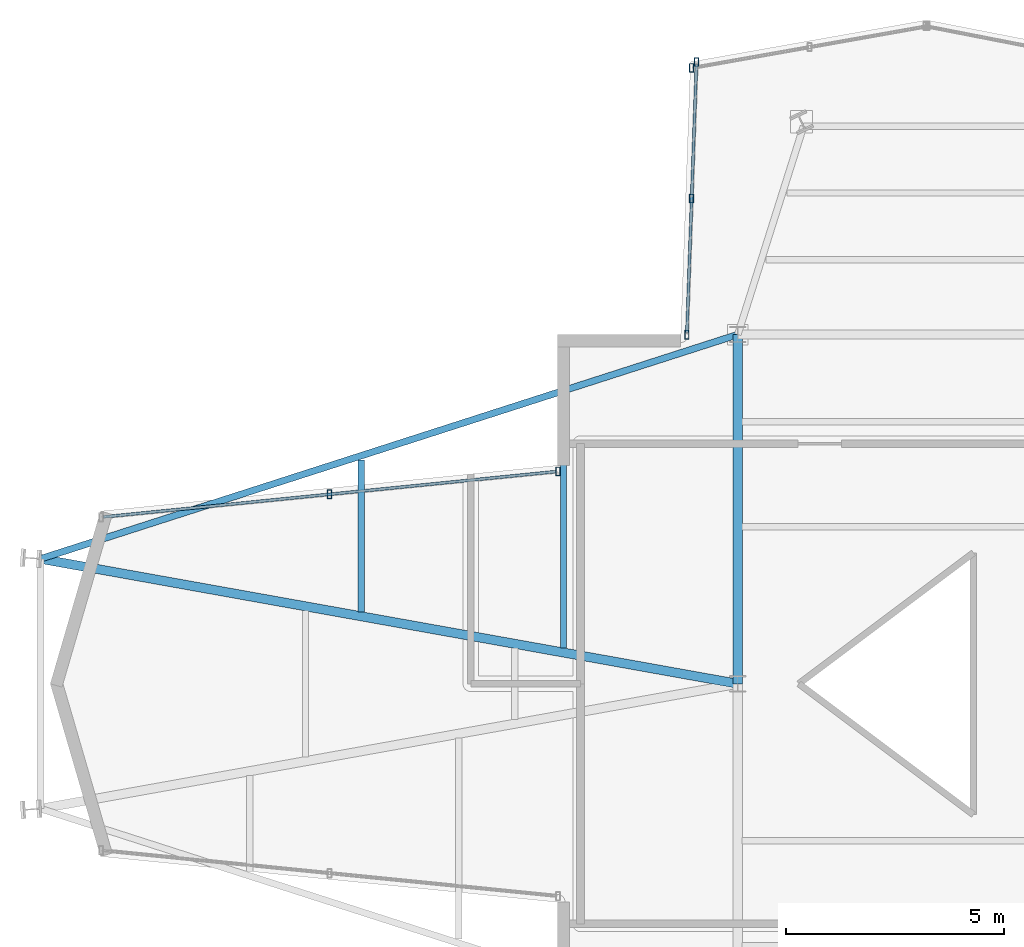
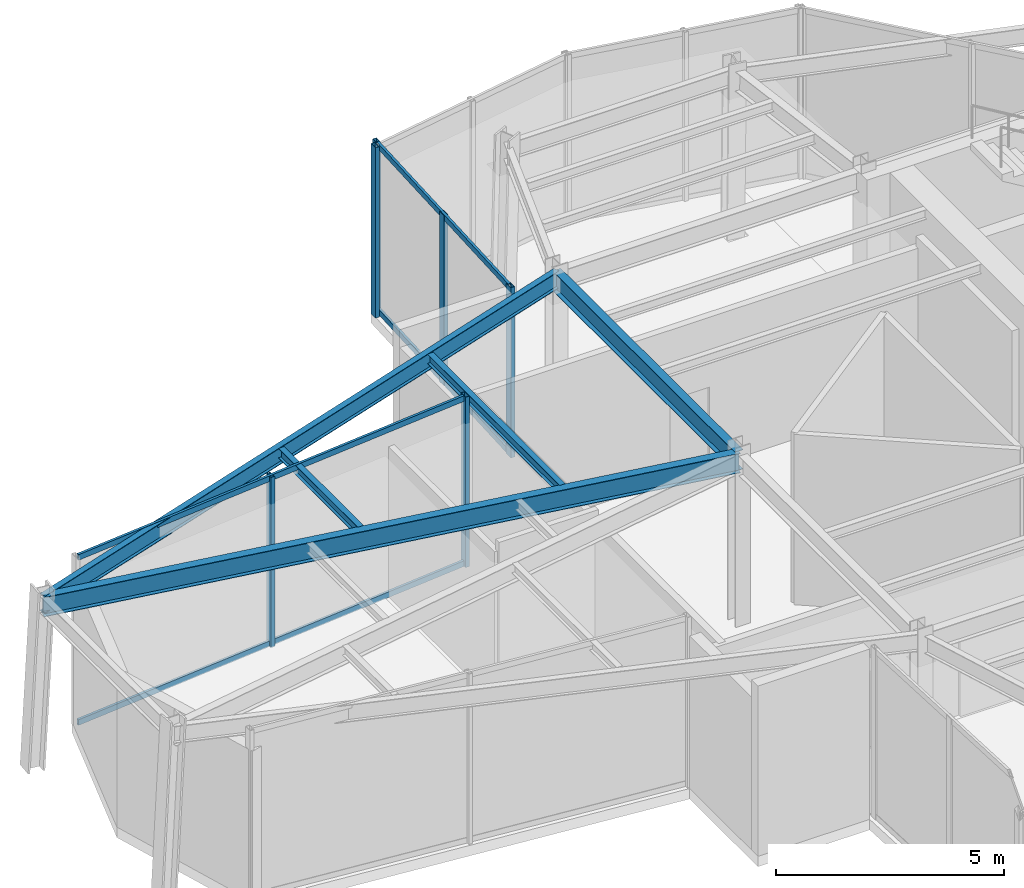
# One storey, part 5 of 15: 10 members, 5 beams, 3 elements without a shape of their own.
"""IFC4 building model written with IfcOpenShell, lengths in metres."""

from ifc_helpers import new_model, si_unit, direction, frame, origin, origin_2d, place, context, subcontext, project, spatial, hollow_rectangle, i_section, extrude, material, layer, layer_set, material_profile, profile_set, type_object, element, aggregate, save


model = new_model("IFC4")

# Units and contexts
model_context = context("Model", 3, precision=1e-05, world=origin(), true_north=direction((0.0, 1.0)))
body_context = subcontext(model_context, "Body", "Model", "MODEL_VIEW")
ifc_project = project(units=[si_unit("LENGTHUNIT", "METRE"), si_unit("AREAUNIT", "SQUARE_METRE"), si_unit("VOLUMEUNIT", "CUBIC_METRE"), si_unit("PLANEANGLEUNIT", "RADIAN"), si_unit("MASSUNIT", "GRAM", prefix="KILO")], contexts=[model_context])

# Site, building, storey
site_placement = place(None, origin())
site = spatial("IfcSite", under=ifc_project, at=site_placement, CompositionType="ELEMENT")
building_placement = place(site_placement, origin())
building = spatial("IfcBuilding", under=site, at=building_placement, Name="Veymaron Broadcast Tower", CompositionType="ELEMENT")
storey_placement = place(building_placement, frame((0.0, 0.0, 262.050048828125)))
storey = spatial("IfcBuildingStorey", under=building, at=storey_placement, Name="L61", CompositionType="ELEMENT", Elevation=262.050048828125)

# Beams
ifc_material_1 = material(Name="Structural steel ASTM A992 Gr 50", Category="steel")
ifc_material_profile_1 = material_profile(ifc_material_1, i_section(OverallWidth=0.208984375, OverallDepth=0.528076171875, WebThickness=0.009521484375, FlangeThickness=0.01318359375, at=origin_2d()), Name="W530X82")
ifc_profile_set_1 = profile_set([ifc_material_profile_1], Name="Structural steel ASTM A992 Gr 50")
beam_type_1 = type_object("IfcBeamType", Name="BM-FG4", PredefinedType="BEAM", material=ifc_profile_set_1)
beam_1_placement = place(storey_placement, frame((31.199951171875, 24.0, 4.2958984375), z_axis=(0.0, 1.0, 0.0), x_axis=(-1.0, 0.0, 0.0)))
element("IfcBeam", 1, at=beam_1_placement, inside=storey, type_object=beam_type_1, Name="L61 primary structural floor girder", PredefinedType="BEAM", context=body_context, shape_type="SweptSolid", body=[
    extrude(i_section(OverallWidth=0.208984375, OverallDepth=0.528076171875, WebThickness=0.009521484375, FlangeThickness=0.01318359375, at=origin_2d()), origin(), (0.0, 0.0, 1.0), 8.0),
])
beam_2_placement = place(storey_placement, frame((15.224365234375, 26.862060546875, 4.2958984375), z_axis=(0.98432849912, -0.176344565609, 0.0), x_axis=(0.176344565609, 0.98432849912, 0.0)))
element("IfcBeam", 2, at=beam_2_placement, inside=storey, type_object=beam_type_1, Name="L61 primary structural floor girder", PredefinedType="BEAM", context=body_context, shape_type="SweptSolid", body=[
    extrude(i_section(OverallWidth=0.208984375, OverallDepth=0.528076171875, WebThickness=0.009521484375, FlangeThickness=0.01318359375, at=origin_2d()), origin(), (0.0, 0.0, 1.0), 16.22998046875),
])
ifc_material_profile_2 = material_profile(ifc_material_1, i_section(OverallWidth=0.14599609375, OverallDepth=0.258056640625, WebThickness=0.006103515625, FlangeThickness=0.009033203125, at=origin_2d()), Name="W250X33")
ifc_profile_set_2 = profile_set([ifc_material_profile_2], Name="Structural steel ASTM A992 Gr 50")
beam_type_2 = type_object("IfcBeamType", Name="BM-JS4", PredefinedType="JOIST", material=ifc_profile_set_2)
beam_3_placement = place(storey_placement, frame((22.5732421875, 25.6455078125, 4.430908203125), z_axis=(0.0, 1.0, 0.0), x_axis=(-1.0, 0.0, 0.0)))
element("IfcBeam", 3, at=beam_3_placement, inside=storey, type_object=beam_type_2, Name="L61 Arm-A secondary joist 1N", PredefinedType="JOIST", context=body_context, shape_type="SweptSolid", body=[
    extrude(i_section(OverallWidth=0.14599609375, OverallDepth=0.258056640625, WebThickness=0.006103515625, FlangeThickness=0.009033203125, at=origin_2d()), origin(), (0.0, 0.0, 1.0), 3.47998046875),
])
beam_4_placement = place(storey_placement, frame((27.2060546875, 24.8154296875, 4.430908203125), z_axis=(0.0, 1.0, 0.0), x_axis=(-1.0, 0.0, 0.0)))
element("IfcBeam", 4, at=beam_4_placement, inside=storey, type_object=beam_type_2, Name="L61 Arm-A secondary joist 2N", PredefinedType="JOIST", context=body_context, shape_type="SweptSolid", body=[
    extrude(i_section(OverallWidth=0.14599609375, OverallDepth=0.258056640625, WebThickness=0.006103515625, FlangeThickness=0.009033203125, at=origin_2d()), origin(), (0.0, 0.0, 1.0), 5.800048828125),
])
ifc_material_profile_3 = material_profile(ifc_material_1, i_section(OverallWidth=0.154052734375, OverallDepth=0.458984375, WebThickness=0.009033203125, FlangeThickness=0.015380859375, at=origin_2d()), Name="W460X68")
ifc_profile_set_3 = profile_set([ifc_material_profile_3], Name="Structural steel ASTM A992 Gr 50")
beam_type_3 = type_object("IfcBeamType", Name="BM-SP2", PredefinedType="SPANDREL", material=ifc_profile_set_3)
beam_5_placement = place(storey_placement, frame((15.224365234375, 26.862060546875, 4.33056640625), z_axis=(0.951977688212, 0.306167407061, 0.0), x_axis=(-0.306167407061, 0.951977688212, 0.0)))
element("IfcBeam", 5, at=beam_5_placement, inside=storey, type_object=beam_type_3, Name="L61 primary structural floor girder", PredefinedType="SPANDREL", context=body_context, shape_type="SweptSolid", body=[
    extrude(i_section(OverallWidth=0.154052734375, OverallDepth=0.458984375, WebThickness=0.009033203125, FlangeThickness=0.015380859375, at=origin_2d()), origin(), (0.0, 0.0, 1.0), 16.781494140625),
])

# Curtain wall, member
ifc_material_2 = material(Name="Anodised aluminium AA 6063-T6 and laminated low-E dark glass", Category="aluminium")
ifc_layer = layer(ifc_material_2, 0.179931640625)
ifc_layer_set = layer_set([ifc_layer], Name="Anodised aluminium AA 6063-T6 and laminated low-E dark glass")
curtain_wall_type = type_object("IfcCurtainWallType", Name="CW-SYS-04", PredefinedType="NOTDEFINED", material=ifc_layer_set)
curtain_wall_1_placement = place(storey_placement, origin())
curtain_wall_1 = element("IfcCurtainWall", 6, at=curtain_wall_1_placement, inside=storey, type_object=curtain_wall_type, Name="L61 dark-glass curtain wall CW-L61-E7-1", PredefinedType="NOTDEFINED")
ifc_material_3 = material(Name="Anodised aluminium AA 6063-T6", Category="aluminium")
ifc_material_profile_4 = material_profile(ifc_material_3, hollow_rectangle(XDim=0.10009765625, YDim=0.199951171875, WallThickness=0.010009765625, at=origin_2d()), Name="RHS200X100X10")
ifc_profile_set_4 = profile_set([ifc_material_profile_4], Name="Anodised aluminium AA 6063-T6")
member_type_1 = type_object("IfcMemberType", Name="CW-MUL-01", PredefinedType="MULLION", material=ifc_profile_set_4)
member_1_placement = place(storey_placement, frame((30.138671875, 38.110107421875, 0.0), z_axis=(0.0, 0.0, 1.0), x_axis=(1.0, 0.0, 0.0)))
member_1 = element("IfcMember", 7, at=member_1_placement, type_object=member_type_1, Name="CW-L61-E7-1 mullion 2", PredefinedType="MULLION", context=body_context, shape_type="SweptSolid", body=[
    extrude(hollow_rectangle(XDim=0.10009765625, YDim=0.199951171875, WallThickness=0.010009765625, at=origin_2d()), origin(), (0.0, 0.0, 1.0), 4.56005859375),
])
aggregate(curtain_wall_1, [member_1])

# Curtain wall, members
curtain_wall_2_placement = place(storey_placement, origin())
curtain_wall_2 = element("IfcCurtainWall", 8, at=curtain_wall_2_placement, inside=storey, type_object=curtain_wall_type, Name="L61 dark-glass curtain wall CW-L61-E8-1", PredefinedType="NOTDEFINED")
member_2_placement = place(storey_placement, frame((30.254150390625, 38.242919921875, 0.0), z_axis=(0.0, 0.0, 1.0), x_axis=(1.0, 0.0, 0.0)))
member_2 = element("IfcMember", 9, at=member_2_placement, type_object=member_type_1, Name="CW-L61-E8-1 mullion 0", PredefinedType="MULLION", context=body_context, shape_type="SweptSolid", body=[
    extrude(hollow_rectangle(XDim=0.10009765625, YDim=0.199951171875, WallThickness=0.010009765625, at=origin_2d()), origin(), (0.0, 0.0, 1.0), 4.56005859375),
])
member_3_placement = place(storey_placement, frame((30.143310546875, 35.118896484375, 0.0), z_axis=(0.0, 0.0, 1.0), x_axis=(1.0, 0.0, 0.0)))
member_3 = element("IfcMember", 10, at=member_3_placement, type_object=member_type_1, Name="CW-L61-E8-1 mullion 1", PredefinedType="MULLION", context=body_context, shape_type="SweptSolid", body=[
    extrude(hollow_rectangle(XDim=0.10009765625, YDim=0.199951171875, WallThickness=0.010009765625, at=origin_2d()), origin(), (0.0, 0.0, 1.0), 4.56005859375),
])
member_4_placement = place(storey_placement, frame((30.0322265625, 31.9951171875, 0.0), z_axis=(0.0, 0.0, 1.0), x_axis=(1.0, 0.0, 0.0)))
member_4 = element("IfcMember", 11, at=member_4_placement, type_object=member_type_1, Name="CW-L61-E8-1 mullion 2", PredefinedType="MULLION", context=body_context, shape_type="SweptSolid", body=[
    extrude(hollow_rectangle(XDim=0.10009765625, YDim=0.199951171875, WallThickness=0.010009765625, at=origin_2d()), origin(), (0.0, 0.0, 1.0), 4.56005859375),
])

curtain_wall_3_placement = place(storey_placement, origin())
curtain_wall_3 = element("IfcCurtainWall", 12, at=curtain_wall_3_placement, inside=storey, type_object=curtain_wall_type, Name="L61 dark-glass curtain wall CW-L61-E11-1", PredefinedType="NOTDEFINED")
member_5_placement = place(storey_placement, frame((27.077880859375, 28.86572265625, 0.0), z_axis=(0.0, 0.0, 1.0), x_axis=(1.0, 0.0, 0.0)))
member_5 = element("IfcMember", 13, at=member_5_placement, type_object=member_type_1, Name="CW-L61-E11-1 mullion 0", PredefinedType="MULLION", context=body_context, shape_type="SweptSolid", body=[
    extrude(hollow_rectangle(XDim=0.10009765625, YDim=0.199951171875, WallThickness=0.010009765625, at=origin_2d()), origin(), (0.0, 0.0, 1.0), 4.56005859375),
])
member_6_placement = place(storey_placement, frame((21.845947265625, 28.34130859375, 0.0), z_axis=(0.0, 0.0, 1.0), x_axis=(1.0, 0.0, 0.0)))
member_6 = element("IfcMember", 14, at=member_6_placement, type_object=member_type_1, Name="CW-L61-E11-1 mullion 1", PredefinedType="MULLION", context=body_context, shape_type="SweptSolid", body=[
    extrude(hollow_rectangle(XDim=0.10009765625, YDim=0.199951171875, WallThickness=0.010009765625, at=origin_2d()), origin(), (0.0, 0.0, 1.0), 4.56005859375),
])

# Member
ifc_material_profile_5 = material_profile(ifc_material_3, hollow_rectangle(XDim=0.06494140625, YDim=0.14990234375, WallThickness=0.00390625, at=origin_2d()), Name="AL150X65X4")
ifc_profile_set_5 = profile_set([ifc_material_profile_5], Name="Anodised aluminium AA 6063-T6")
member_type_2 = type_object("IfcMemberType", Name="CW-TRN-01", PredefinedType="USERDEFINED", material=ifc_profile_set_5)
member_7_placement = place(storey_placement, frame((30.252197265625, 38.193115234375, 0.070068359375), z_axis=(-0.035438155941, -0.999371871279, 0.0), x_axis=(0.999371871279, -0.035438155941, 0.0)))
member_7 = element("IfcMember", 15, at=member_7_placement, type_object=member_type_2, Name="CW-L61-E8-1 transom B", ObjectType="TRANSOM", PredefinedType="USERDEFINED", context=body_context, shape_type="SweptSolid", body=[
    extrude(hollow_rectangle(XDim=0.06494140625, YDim=0.14990234375, WallThickness=0.00390625, at=origin_2d()), origin(), (0.0, 0.0, 1.0), 6.152099609375),
])

member_8_placement = place(storey_placement, frame((30.252197265625, 38.193115234375, 4.489990234375), z_axis=(-0.035438155941, -0.999371871279, 0.0), x_axis=(0.999371871279, -0.035438155941, 0.0)))
member_8 = element("IfcMember", 16, at=member_8_placement, type_object=member_type_2, Name="CW-L61-E8-1 transom T", ObjectType="TRANSOM", PredefinedType="USERDEFINED", context=body_context, shape_type="SweptSolid", body=[
    extrude(hollow_rectangle(XDim=0.06494140625, YDim=0.14990234375, WallThickness=0.00390625, at=origin_2d()), origin(), (0.0, 0.0, 1.0), 6.152099609375),
])

aggregate(curtain_wall_2, [member_2, member_3, member_4, member_7, member_8])

member_9_placement = place(storey_placement, frame((27.0283203125, 28.86083984375, 0.070068359375), z_axis=(-0.995014654959, -0.099728814379, 0.0), x_axis=(0.099728814379, -0.995014654959, 0.0)))
member_9 = element("IfcMember", 17, at=member_9_placement, type_object=member_type_2, Name="CW-L61-E11-1 transom B", ObjectType="TRANSOM", PredefinedType="USERDEFINED", context=body_context, shape_type="SweptSolid", body=[
    extrude(hollow_rectangle(XDim=0.06494140625, YDim=0.14990234375, WallThickness=0.00390625, at=origin_2d()), origin(), (0.0, 0.0, 1.0), 10.41650390625),
])

member_10_placement = place(storey_placement, frame((27.0283203125, 28.86083984375, 4.489990234375), z_axis=(-0.995014654959, -0.099728814379, 0.0), x_axis=(0.099728814379, -0.995014654959, 0.0)))
member_10 = element("IfcMember", 18, at=member_10_placement, type_object=member_type_2, Name="CW-L61-E11-1 transom T", ObjectType="TRANSOM", PredefinedType="USERDEFINED", context=body_context, shape_type="SweptSolid", body=[
    extrude(hollow_rectangle(XDim=0.06494140625, YDim=0.14990234375, WallThickness=0.00390625, at=origin_2d()), origin(), (0.0, 0.0, 1.0), 10.41650390625),
])

aggregate(curtain_wall_3, [member_5, member_6, member_9, member_10])

save(model, "model.ifc")
